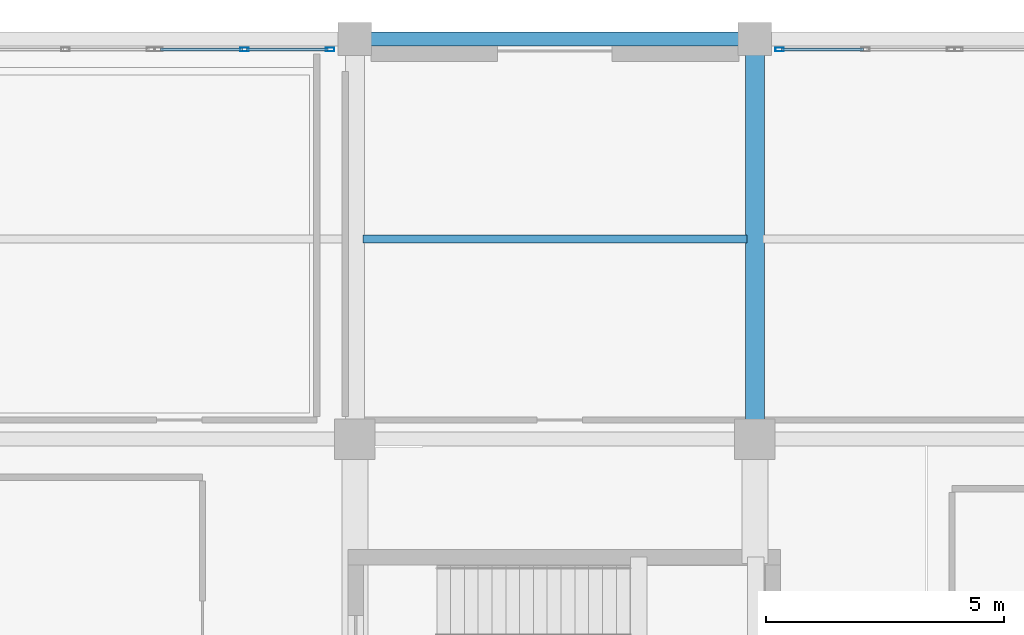
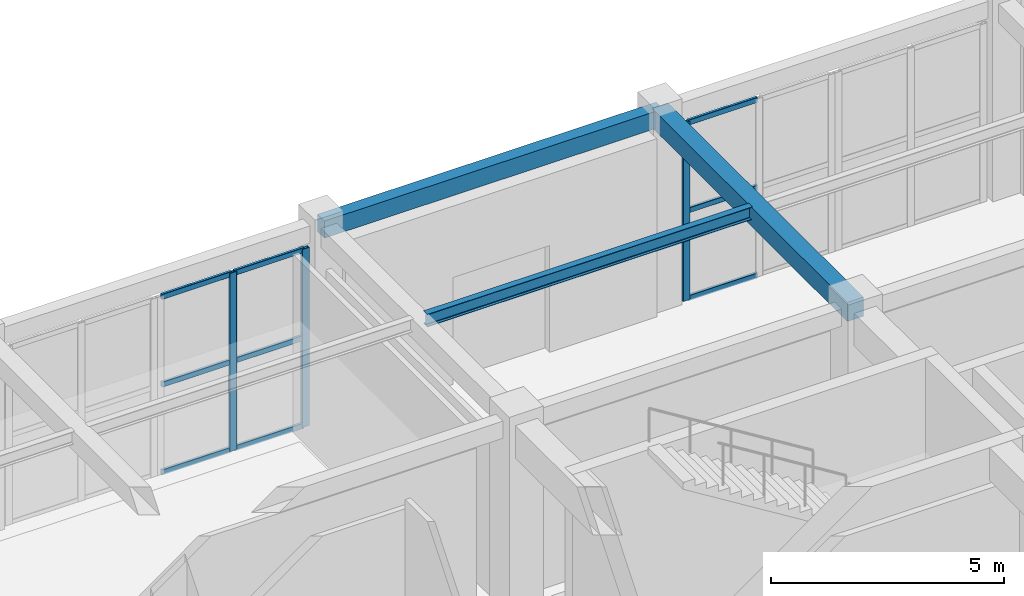
# One storey, part 43 of 98: 12 members, 3 beams, 2 elements without a shape of their own.
"""IFC4 building model written with IfcOpenShell, lengths in metres."""

import ifcopenshell
import ifcopenshell.guid

model = None  # the IFC model being written
_history = None  # IfcOwnerHistory: only IFC2X3 demands one
_inside = {}  # id of a spatial element -> (the spatial element, [elements in it])
_under = {}  # id of a project, library or spatial element -> (it, [spatial elements below it])
_declared = {}  # id of a project -> (the project, [libraries it declares])
_typed = {}  # id of a type object -> (the type object, [elements of that type])
_made_of = {}  # id of a material, layer set ... -> (it, [elements and type objects made of it])


def new_model(schema):
    """Start an empty IFC model of exactly this schema.

    Asked for "IFC4X3", IfcOpenShell would pick the latest addendum, in which some entities
    have other attributes; the version numbers below select the first issue.
    IFC2X3 requires an IfcOwnerHistory on every rooted entity: one is made here for all.
    """
    global model, _history
    if schema == "IFC4X3":
        model = ifcopenshell.file(schema_version=(4, 3, 0, 0))
    else:
        model = ifcopenshell.file(schema=schema)
    _inside.clear()
    _under.clear()
    _declared.clear()
    _typed.clear()
    _made_of.clear()
    _history = None
    if model.schema == "IFC2X3":
        org = make("IfcOrganization", Name="unknown")
        user = make(
            "IfcPersonAndOrganization",
            ThePerson=make("IfcPerson", FamilyName="unknown"),
            TheOrganization=org,
        )
        app = make(
            "IfcApplication",
            ApplicationDeveloper=org,
            Version="unknown",
            ApplicationFullName="unknown",
            ApplicationIdentifier="unknown",
        )
        _history = make(
            "IfcOwnerHistory",
            OwningUser=user,
            OwningApplication=app,
            ChangeAction="ADDED",
            CreationDate=0,
        )
    return model


def make(cls, **values):
    """One entity of the class cls with the attributes given. An attribute that is None is left unset."""
    return model.create_entity(
        cls, **{name: value for name, value in values.items() if value is not None}
    )


def rooted(cls, **values):
    """An entity with a GlobalId (a new one), such as an element, a storey or a relation."""
    return make(cls, GlobalId=ifcopenshell.guid.new(), OwnerHistory=_history, **values)


def si_unit(unit_type, name, prefix=None):
    """IfcSIUnit, for example si_unit("LENGTHUNIT", "METRE", prefix="MILLI")."""
    return make("IfcSIUnit", UnitType=unit_type, Prefix=prefix, Name=name)


def assignment(units):
    """IfcUnitAssignment: the units of a project."""
    return None if units is None else make("IfcUnitAssignment", Units=units)


def point(xyz):
    """IfcCartesianPoint."""
    return None if xyz is None else make("IfcCartesianPoint", Coordinates=xyz)


def direction(xyz):
    """IfcDirection."""
    return None if xyz is None else make("IfcDirection", DirectionRatios=xyz)


def frame(location, z_axis=None, x_axis=None):
    """IfcAxis2Placement3D, a coordinate frame: its origin and axes. An axis left out is left unset."""
    return make(
        "IfcAxis2Placement3D",
        Location=point(location),
        Axis=direction(z_axis),
        RefDirection=direction(x_axis),
    )


def frame_2d(location, x_axis=None):
    """IfcAxis2Placement2D, a coordinate frame in the plane: its origin and x axis."""
    return make(
        "IfcAxis2Placement2D", Location=point(location), RefDirection=direction(x_axis)
    )


def origin():
    """The frame at (0, 0, 0) with its axes left unset."""
    return frame((0.0, 0.0, 0.0))


def origin_2d():
    """The frame at (0, 0) in the plane with its x axis left unset."""
    return frame_2d((0.0, 0.0))


def place(relative_to, where):
    """IfcLocalPlacement: puts the frame where relative to a parent placement (None: the world)."""
    return make(
        "IfcLocalPlacement", PlacementRelTo=relative_to, RelativePlacement=where
    )


def context(
    kind, dimensions, precision=None, world=None, true_north=None, identifier=None
):
    """IfcGeometricRepresentationContext, for example the 3D "Model" context."""
    return make(
        "IfcGeometricRepresentationContext",
        ContextIdentifier=identifier,
        ContextType=kind,
        CoordinateSpaceDimension=dimensions,
        Precision=precision,
        WorldCoordinateSystem=world,
        TrueNorth=true_north,
    )


def subcontext(parent, identifier, kind, view, scale=None):
    """IfcGeometricRepresentationSubContext, for example "Body" below "Model"."""
    return make(
        "IfcGeometricRepresentationSubContext",
        ContextIdentifier=identifier,
        ContextType=kind,
        ParentContext=parent,
        TargetScale=scale,
        TargetView=view,
    )


def project(units=None, contexts=None):
    """IfcProject with its units and contexts."""
    return rooted(
        "IfcProject",
        Name="project",
        RepresentationContexts=contexts,
        UnitsInContext=assignment(units),
    )


def spatial(cls, under=None, at=None, **own):
    """A site, building, storey or space (cls), placed at a placement, below another one or the project."""
    s = rooted(cls, ObjectPlacement=at, **own)
    if under is not None:
        _under.setdefault(under.id(), (under, []))[1].append(s)
    return s


def profile(cls, at=None, kind="AREA", **sizes):
    """A parametric profile (cls). Its sizes go by their IFC names, for example OverallWidth=200.0."""
    return make(cls, ProfileType=kind, Position=at, **sizes)


def rectangle(**sizes):
    """IfcRectangleProfileDef."""
    return profile("IfcRectangleProfileDef", **sizes)


def hollow_rectangle(**sizes):
    """IfcRectangleHollowProfileDef."""
    return profile("IfcRectangleHollowProfileDef", **sizes)


def i_section(**sizes):
    """IfcIShapeProfileDef."""
    return profile("IfcIShapeProfileDef", **sizes)


def extrude(swept, where, along, depth):
    """IfcExtrudedAreaSolid: the profile swept, set in the frame where, extruded along a direction by depth."""
    return make(
        "IfcExtrudedAreaSolid",
        SweptArea=swept,
        Position=where,
        ExtrudedDirection=direction(along),
        Depth=depth,
    )


def shape(context_of_items, identifier, shape_type, items):
    """IfcShapeRepresentation: the items that make up one representation, for example the "Body"."""
    return make(
        "IfcShapeRepresentation",
        ContextOfItems=context_of_items,
        RepresentationIdentifier=identifier,
        RepresentationType=shape_type,
        Items=items,
    )


def material(Name=None, Category=None):
    """IfcMaterial."""
    return make("IfcMaterial", Name=Name, Category=Category)


def layer(
    of_material, thickness, ventilated=None, Name=None, Category=None, Priority=None
):
    """IfcMaterialLayer: one layer of a wall or slab, of a material (None: an air gap)."""
    return make(
        "IfcMaterialLayer",
        Material=of_material,
        LayerThickness=thickness,
        IsVentilated=ventilated,
        Name=Name,
        Category=Category,
        Priority=Priority,
    )


def layer_set(layers, Name=None):
    """IfcMaterialLayerSet."""
    return make("IfcMaterialLayerSet", MaterialLayers=layers, LayerSetName=Name)


def material_profile(
    of_material, cross_section, Name=None, Category=None, Priority=None
):
    """IfcMaterialProfile: a cross section and its material."""
    return make(
        "IfcMaterialProfile",
        Name=Name,
        Material=of_material,
        Profile=cross_section,
        Priority=Priority,
        Category=Category,
    )


def profile_set(profiles, Name=None, composite=None):
    """IfcMaterialProfileSet."""
    return make(
        "IfcMaterialProfileSet",
        Name=Name,
        MaterialProfiles=profiles,
        CompositeProfile=composite,
    )


def made_of(thing, what):
    """Note that an element or type object is made of a material, layer set ...; save() writes the relation."""
    if what is not None:
        _made_of.setdefault(what.id(), (what, []))[1].append(thing)
    return thing


def type_object(cls, material=None, **own):
    """A type object (cls), such as IfcWallType, which elements share."""
    return made_of(rooted(cls, **own), material)


def element(
    cls,
    number,
    at=None,
    inside=None,
    cuts=None,
    type_object=None,
    material=None,
    context=None,
    identifier="Body",
    shape_type=None,
    held_by="IfcProductDefinitionShape",
    body=None,
    shapes=None,
    **own,
):
    """One element of the class cls, such as IfcWall. Its Tag is "e" and its number.

    at: its placement. inside: the storey or other place that contains it. cuts: it is an
    opening in that element (IfcRelVoidsElement). A single representation is given by context,
    identifier, shape_type and body (its items); several are given by shapes. held_by: the class
    of the entity that holds the representations. save() writes the other relations.
    """
    e = rooted(cls, Tag="e%d" % number, ObjectPlacement=at, **own)
    if body is not None:
        shapes = [shape(context, identifier, shape_type, body)]
    if shapes is not None:
        e.Representation = make(held_by, Representations=shapes)
    if inside is not None:
        _inside.setdefault(inside.id(), (inside, []))[1].append(e)
    if cuts is not None:
        rooted(
            "IfcRelVoidsElement", RelatingBuildingElement=cuts, RelatedOpeningElement=e
        )
    if type_object is not None:
        _typed.setdefault(type_object.id(), (type_object, []))[1].append(e)
    return made_of(e, material)


def aggregate(whole, parts):
    """IfcRelAggregates: a whole, such as a stair, and the parts it consists of."""
    return rooted("IfcRelAggregates", RelatingObject=whole, RelatedObjects=parts)


def save(model, path):
    """Write the relations noted so far, then the file.

    IfcRelAggregates (storeys below a building ...), IfcRelContainedInSpatialStructure (elements
    in a storey), IfcRelDefinesByType, IfcRelAssociatesMaterial and IfcRelDeclares: one each for
    every whole, place, type object, material and project.
    """
    for whole, parts in _under.values():
        aggregate(whole, parts)
    for where, things in _inside.values():
        rooted(
            "IfcRelContainedInSpatialStructure",
            RelatedElements=things,
            RelatingStructure=where,
        )
    for kind, things in _typed.values():
        rooted("IfcRelDefinesByType", RelatedObjects=things, RelatingType=kind)
    for what, things in _made_of.values():
        rooted("IfcRelAssociatesMaterial", RelatedObjects=things, RelatingMaterial=what)
    for by, libraries in _declared.values():
        rooted("IfcRelDeclares", RelatingContext=by, RelatedDefinitions=libraries)
    model.write(path)


model = new_model("IFC4")

# Units and contexts
model_context = context("Model", 3, precision=1e-05, world=origin(), true_north=direction((0.0, 1.0)))
body_context = subcontext(model_context, "Body", "Model", "MODEL_VIEW")
ifc_project = project(units=[si_unit("LENGTHUNIT", "METRE"), si_unit("AREAUNIT", "SQUARE_METRE"), si_unit("VOLUMEUNIT", "CUBIC_METRE"), si_unit("PLANEANGLEUNIT", "RADIAN"), si_unit("MASSUNIT", "GRAM", prefix="KILO")], contexts=[model_context])

# Site, building, storey
site_placement = place(None, origin())
site = spatial("IfcSite", under=ifc_project, at=site_placement, CompositionType="ELEMENT")
building_placement = place(site_placement, origin())
building = spatial("IfcBuilding", under=site, at=building_placement, Name="Tarnavel Promenade Courthouse", CompositionType="ELEMENT")
storey_placement = place(building_placement, origin())
storey = spatial("IfcBuildingStorey", under=building, at=storey_placement, Name="L01", CompositionType="ELEMENT", Elevation=0.0)

# Beams
ifc_material_1 = material(Name="Concrete C40/50", Category="concrete")
ifc_material_profile_1 = material_profile(ifc_material_1, rectangle(XDim=0.39990234375, YDim=0.5, at=origin_2d()), Name="RC 400x500")
ifc_profile_set_1 = profile_set([ifc_material_profile_1], Name="Concrete C40/50")
beam_type_1 = type_object("IfcBeamType", Name="Concrete C40/50 BM-RC-400x500 (RC 400x500)", PredefinedType="BEAM", material=ifc_profile_set_1)
beam_1_placement = place(storey_placement, frame((84.0, 104.39990234375, 4.885009765625), z_axis=(0.0, 1.0, 0.0), x_axis=(-1.0, 0.0, 0.0)))
element("IfcBeam", 1, at=beam_1_placement, inside=storey, type_object=beam_type_1, Name="L01 Transverse Girder 0813", PredefinedType="BEAM", context=body_context, shape_type="SweptSolid", body=[
    extrude(rectangle(XDim=0.39990234375, YDim=0.5, at=origin_2d()), origin(), (0.0, 0.0, 1.0), 8.400146484375),
])
ifc_material_profile_2 = material_profile(ifc_material_1, rectangle(XDim=0.300048828125, YDim=0.449951171875, at=origin_2d()), Name="RC 300x450")
ifc_profile_set_2 = profile_set([ifc_material_profile_2], Name="Concrete C40/50")
beam_type_2 = type_object("IfcBeamType", Name="Concrete C40/50 BM-SP-300x450 (RC 300x450)", PredefinedType="SPANDREL", material=ifc_profile_set_2)
beam_2_placement = place(storey_placement, frame((75.60009765625, 112.800048828125, 4.909912109375), z_axis=(1.0, 0.0, 0.0), x_axis=(0.0, 1.0, 0.0)))
element("IfcBeam", 2, at=beam_2_placement, inside=storey, type_object=beam_type_2, Name="L01 Primary Longitudinal Beam 0728", PredefinedType="SPANDREL", context=body_context, shape_type="SweptSolid", body=[
    extrude(rectangle(XDim=0.300048828125, YDim=0.449951171875, at=origin_2d()), origin(), (0.0, 0.0, 1.0), 8.39990234375),
])
ifc_material_2 = material(Name="Steel S355J2", Category="steel")
ifc_material_profile_3 = material_profile(ifc_material_2, i_section(OverallWidth=0.159912109375, OverallDepth=0.330078125, WebThickness=0.007568359375, FlangeThickness=0.011474609375, FilletRadius=0.01806640625, at=origin_2d()), Name="IPE 330")
ifc_profile_set_3 = profile_set([ifc_material_profile_3], Name="Steel S355J2")
beam_type_3 = type_object("IfcBeamType", Name="Steel S355J2 BM-ST-IPE330 (IPE 330)", PredefinedType="JOIST", material=ifc_profile_set_3)
beam_3_placement = place(storey_placement, frame((75.77001953125, 108.60009765625, 4.969970703125), z_axis=(1.0, 0.0, 0.0), x_axis=(0.0, 1.0, 0.0)))
element("IfcBeam", 3, at=beam_3_placement, inside=storey, type_object=beam_type_3, Name="L01 Secondary Floor Rib 1011", PredefinedType="JOIST", context=body_context, shape_type="SweptSolid", body=[
    extrude(i_section(OverallWidth=0.159912109375, OverallDepth=0.330078125, WebThickness=0.007568359375, FlangeThickness=0.011474609375, FilletRadius=0.01806640625, at=origin_2d()), origin(), (0.0, 0.0, 1.0), 8.06005859375),
])

# Curtain wall, members
ifc_material_3 = material(Name="Thermally Broken Anodised Aluminium Curtain Wall System", Category="aluminium")
ifc_layer = layer(ifc_material_3, 0.199951171875)
ifc_layer_set = layer_set([ifc_layer], Name="Thermally Broken Anodised Aluminium Curtain Wall System")
curtain_wall_type = type_object("IfcCurtainWallType", Name="Thermally Broken Aluminium Triple-Glazed Curtain Wall CW-FOYER", PredefinedType="NOTDEFINED", material=ifc_layer_set)
curtain_wall_1_placement = place(storey_placement, origin())
curtain_wall_1 = element("IfcCurtainWall", 4, at=curtain_wall_1_placement, inside=storey, type_object=curtain_wall_type, Name="L01 North Foyer Curtain Wall B 123", PredefinedType="NOTDEFINED")
ifc_material_4 = material(Name="Thermally Broken Anodised Aluminium Frame", Category="aluminium")
ifc_material_profile_4 = material_profile(ifc_material_4, hollow_rectangle(XDim=0.080078125, YDim=0.179931640625, WallThickness=0.0048828125, InnerFilletRadius=0.0048828125, OuterFilletRadius=0.010009765625, at=origin_2d()), Name="CWM 180x80x5")
ifc_profile_set_4 = profile_set([ifc_material_profile_4], Name="Thermally Broken Anodised Aluminium Frame")
member_type_1 = type_object("IfcMemberType", Name="Thermally Broken Anodised Aluminium CWM-155 (CWM 180x80x5)", PredefinedType="MULLION", material=ifc_profile_set_4)
member_1_placement = place(storey_placement, frame((73.280029296875, 112.580078125, 0.0), z_axis=(0.0, 0.0, 1.0), x_axis=(0.0, 1.0, 0.0)))
member_1 = element("IfcMember", 5, at=member_1_placement, type_object=member_type_1, Name="CW-04 mullion 2", PredefinedType="MULLION", context=body_context, shape_type="SweptSolid", body=[
    extrude(hollow_rectangle(XDim=0.080078125, YDim=0.179931640625, WallThickness=0.0048828125, InnerFilletRadius=0.0048828125, OuterFilletRadius=0.010009765625, at=origin_2d()), origin(), (0.0, 0.0, 1.0), 4.669921875),
])
member_2_placement = place(storey_placement, frame((75.080078125, 112.580078125, 0.0), z_axis=(0.0, 0.0, 1.0), x_axis=(0.0, 1.0, 0.0)))
member_2 = element("IfcMember", 6, at=member_2_placement, type_object=member_type_1, Name="CW-04 mullion 3", PredefinedType="MULLION", context=body_context, shape_type="SweptSolid", body=[
    extrude(hollow_rectangle(XDim=0.080078125, YDim=0.179931640625, WallThickness=0.0048828125, InnerFilletRadius=0.0048828125, OuterFilletRadius=0.010009765625, at=origin_2d()), origin(), (0.0, 0.0, 1.0), 4.669921875),
])

# Curtain wall, member
curtain_wall_2_placement = place(storey_placement, origin())
curtain_wall_2 = element("IfcCurtainWall", 7, at=curtain_wall_2_placement, inside=storey, type_object=curtain_wall_type, Name="L01 North Foyer Curtain Wall A 124", PredefinedType="NOTDEFINED")
member_3_placement = place(storey_placement, frame((84.52001953125, 112.580078125, 0.0), z_axis=(0.0, 0.0, 1.0), x_axis=(0.0, 1.0, 0.0)))
member_3 = element("IfcMember", 8, at=member_3_placement, type_object=member_type_1, Name="CW-04 mullion 1", PredefinedType="MULLION", context=body_context, shape_type="SweptSolid", body=[
    extrude(hollow_rectangle(XDim=0.080078125, YDim=0.179931640625, WallThickness=0.0048828125, InnerFilletRadius=0.0048828125, OuterFilletRadius=0.010009765625, at=origin_2d()), origin(), (0.0, 0.0, 1.0), 4.669921875),
])

# Member
ifc_material_profile_5 = material_profile(ifc_material_4, hollow_rectangle(XDim=0.070068359375, YDim=0.139892578125, WallThickness=0.0048828125, InnerFilletRadius=0.0048828125, OuterFilletRadius=0.010009765625, at=origin_2d()), Name="CWT 140x70x5")
ifc_profile_set_5 = profile_set([ifc_material_profile_5], Name="Thermally Broken Anodised Aluminium Frame")
member_type_2 = type_object("IfcMemberType", Name="Thermally Broken Anodised Aluminium CWT-125 (CWT 140x70x5)", PredefinedType="USERDEFINED", material=ifc_profile_set_5)
member_4_placement = place(storey_placement, frame((71.52001953125, 112.580078125, 0.034912109375), z_axis=(1.0, 0.0, 0.0), x_axis=(0.0, 1.0, 0.0)))
member_4 = element("IfcMember", 9, at=member_4_placement, type_object=member_type_2, Name="CW-04 transom 1.1", ObjectType="TRANSOM", PredefinedType="USERDEFINED", context=body_context, shape_type="SweptSolid", body=[
    extrude(hollow_rectangle(XDim=0.070068359375, YDim=0.139892578125, WallThickness=0.0048828125, InnerFilletRadius=0.0048828125, OuterFilletRadius=0.010009765625, at=origin_2d()), origin(), (0.0, 0.0, 1.0), 1.719970703125),
])

member_5_placement = place(storey_placement, frame((71.52001953125, 112.580078125, 2.3349609375), z_axis=(1.0, 0.0, 0.0), x_axis=(0.0, 1.0, 0.0)))
member_5 = element("IfcMember", 10, at=member_5_placement, type_object=member_type_2, Name="CW-04 transom 1.2", ObjectType="TRANSOM", PredefinedType="USERDEFINED", context=body_context, shape_type="SweptSolid", body=[
    extrude(hollow_rectangle(XDim=0.070068359375, YDim=0.139892578125, WallThickness=0.0048828125, InnerFilletRadius=0.0048828125, OuterFilletRadius=0.010009765625, at=origin_2d()), origin(), (0.0, 0.0, 1.0), 1.719970703125),
])

member_6_placement = place(storey_placement, frame((71.52001953125, 112.580078125, 4.635009765625), z_axis=(1.0, 0.0, 0.0), x_axis=(0.0, 1.0, 0.0)))
member_6 = element("IfcMember", 11, at=member_6_placement, type_object=member_type_2, Name="CW-04 transom 1.3", ObjectType="TRANSOM", PredefinedType="USERDEFINED", context=body_context, shape_type="SweptSolid", body=[
    extrude(hollow_rectangle(XDim=0.070068359375, YDim=0.139892578125, WallThickness=0.0048828125, InnerFilletRadius=0.0048828125, OuterFilletRadius=0.010009765625, at=origin_2d()), origin(), (0.0, 0.0, 1.0), 1.719970703125),
])

member_7_placement = place(storey_placement, frame((73.320068359375, 112.580078125, 0.034912109375), z_axis=(1.0, 0.0, 0.0), x_axis=(0.0, 1.0, 0.0)))
member_7 = element("IfcMember", 12, at=member_7_placement, type_object=member_type_2, Name="CW-04 transom 2.1", ObjectType="TRANSOM", PredefinedType="USERDEFINED", context=body_context, shape_type="SweptSolid", body=[
    extrude(hollow_rectangle(XDim=0.070068359375, YDim=0.139892578125, WallThickness=0.0048828125, InnerFilletRadius=0.0048828125, OuterFilletRadius=0.010009765625, at=origin_2d()), origin(), (0.0, 0.0, 1.0), 1.719970703125),
])

member_8_placement = place(storey_placement, frame((73.320068359375, 112.580078125, 2.3349609375), z_axis=(1.0, 0.0, 0.0), x_axis=(0.0, 1.0, 0.0)))
member_8 = element("IfcMember", 13, at=member_8_placement, type_object=member_type_2, Name="CW-04 transom 2.2", ObjectType="TRANSOM", PredefinedType="USERDEFINED", context=body_context, shape_type="SweptSolid", body=[
    extrude(hollow_rectangle(XDim=0.070068359375, YDim=0.139892578125, WallThickness=0.0048828125, InnerFilletRadius=0.0048828125, OuterFilletRadius=0.010009765625, at=origin_2d()), origin(), (0.0, 0.0, 1.0), 1.719970703125),
])

member_9_placement = place(storey_placement, frame((73.320068359375, 112.580078125, 4.635009765625), z_axis=(1.0, 0.0, 0.0), x_axis=(0.0, 1.0, 0.0)))
member_9 = element("IfcMember", 14, at=member_9_placement, type_object=member_type_2, Name="CW-04 transom 2.3", ObjectType="TRANSOM", PredefinedType="USERDEFINED", context=body_context, shape_type="SweptSolid", body=[
    extrude(hollow_rectangle(XDim=0.070068359375, YDim=0.139892578125, WallThickness=0.0048828125, InnerFilletRadius=0.0048828125, OuterFilletRadius=0.010009765625, at=origin_2d()), origin(), (0.0, 0.0, 1.0), 1.719970703125),
])

aggregate(curtain_wall_1, [member_1, member_2, member_4, member_5, member_6, member_7, member_8, member_9])

member_10_placement = place(storey_placement, frame((84.56005859375, 112.580078125, 0.034912109375), z_axis=(1.0, 0.0, 0.0), x_axis=(0.0, 1.0, 0.0)))
member_10 = element("IfcMember", 15, at=member_10_placement, type_object=member_type_2, Name="CW-04 transom 1.1", ObjectType="TRANSOM", PredefinedType="USERDEFINED", context=body_context, shape_type="SweptSolid", body=[
    extrude(hollow_rectangle(XDim=0.070068359375, YDim=0.139892578125, WallThickness=0.0048828125, InnerFilletRadius=0.0048828125, OuterFilletRadius=0.010009765625, at=origin_2d()), origin(), (0.0, 0.0, 1.0), 1.719970703125),
])

member_11_placement = place(storey_placement, frame((84.56005859375, 112.580078125, 2.3349609375), z_axis=(1.0, 0.0, 0.0), x_axis=(0.0, 1.0, 0.0)))
member_11 = element("IfcMember", 16, at=member_11_placement, type_object=member_type_2, Name="CW-04 transom 1.2", ObjectType="TRANSOM", PredefinedType="USERDEFINED", context=body_context, shape_type="SweptSolid", body=[
    extrude(hollow_rectangle(XDim=0.070068359375, YDim=0.139892578125, WallThickness=0.0048828125, InnerFilletRadius=0.0048828125, OuterFilletRadius=0.010009765625, at=origin_2d()), origin(), (0.0, 0.0, 1.0), 1.719970703125),
])

member_12_placement = place(storey_placement, frame((84.56005859375, 112.580078125, 4.635009765625), z_axis=(1.0, 0.0, 0.0), x_axis=(0.0, 1.0, 0.0)))
member_12 = element("IfcMember", 17, at=member_12_placement, type_object=member_type_2, Name="CW-04 transom 1.3", ObjectType="TRANSOM", PredefinedType="USERDEFINED", context=body_context, shape_type="SweptSolid", body=[
    extrude(hollow_rectangle(XDim=0.070068359375, YDim=0.139892578125, WallThickness=0.0048828125, InnerFilletRadius=0.0048828125, OuterFilletRadius=0.010009765625, at=origin_2d()), origin(), (0.0, 0.0, 1.0), 1.719970703125),
])

aggregate(curtain_wall_2, [member_3, member_10, member_11, member_12])

save(model, "model.ifc")
